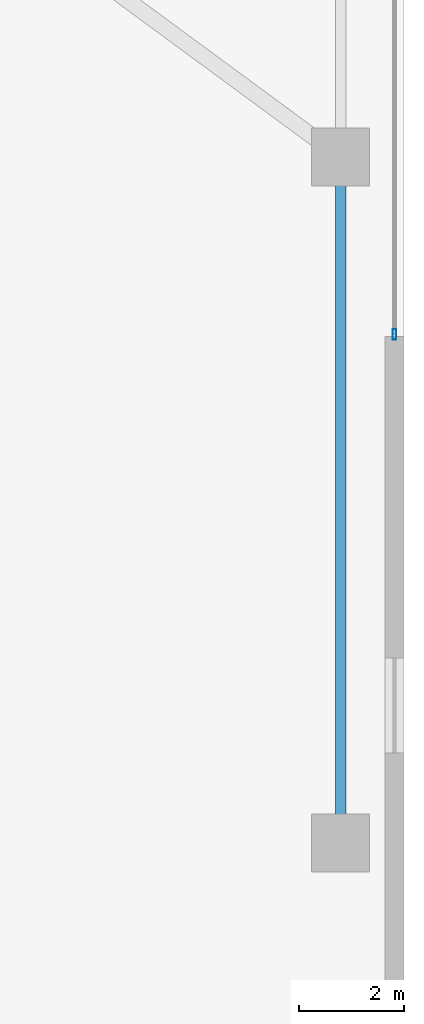
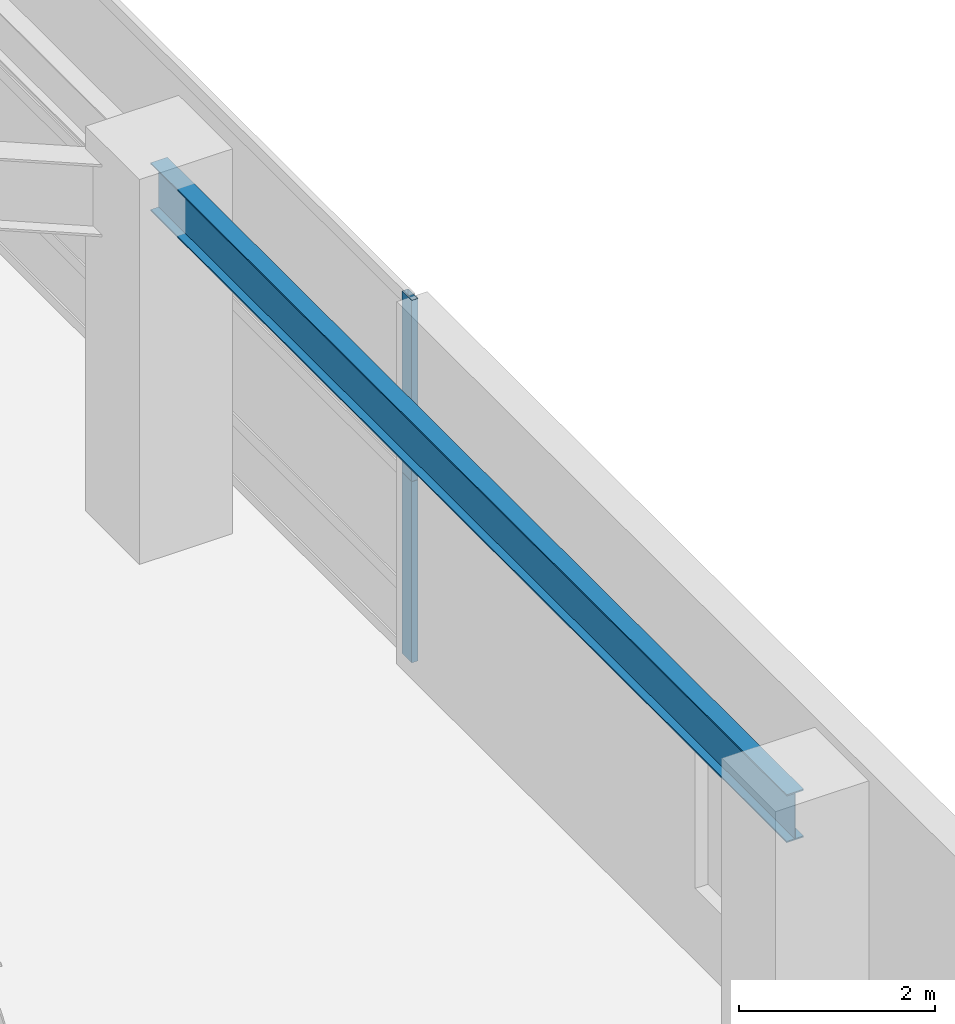
# One storey, part 28 of 38: 2 members, 1 beam, 1 element without a shape of its own.
"""IFC4 building model written with IfcOpenShell, lengths in metres."""

from ifc_helpers import new_model, si_unit, direction, frame, origin, origin_2d, place, context, subcontext, project, spatial, hollow_rectangle, i_section, extrude, source, transform, mapped, material, layer, layer_set, material_profile, profile_set, type_object, element, aggregate, save


model = new_model("IFC4")

# Units and contexts
model_context = context("Model", 3, precision=1e-05, world=origin(), true_north=direction((0.0, 1.0)))
body_context = subcontext(model_context, "Body", "Model", "MODEL_VIEW")
ifc_project = project(units=[si_unit("LENGTHUNIT", "METRE"), si_unit("AREAUNIT", "SQUARE_METRE"), si_unit("VOLUMEUNIT", "CUBIC_METRE"), si_unit("PLANEANGLEUNIT", "RADIAN"), si_unit("MASSUNIT", "GRAM", prefix="KILO"), si_unit("THERMODYNAMICTEMPERATUREUNIT", "KELVIN"), si_unit("POWERUNIT", "WATT")], contexts=[model_context])

# Site, building, storey
site_placement = place(None, origin())
site = spatial("IfcSite", under=ifc_project, at=site_placement, CompositionType="ELEMENT")
building_placement = place(site_placement, origin())
building = spatial("IfcBuilding", under=site, at=building_placement, Name="Yuzanri Waterfront Tower", CompositionType="ELEMENT")
storey_placement = place(building_placement, frame((0.0, 0.0, 10.199951171875)))
storey = spatial("IfcBuildingStorey", under=building, at=storey_placement, Name="L03", CompositionType="ELEMENT", Elevation=10.199951171875)

# Beam
ifc_material_1 = material(Name="Steel Q355B", Category="steel")
ifc_material_profile_1 = material_profile(ifc_material_1, i_section(OverallWidth=0.199951171875, OverallDepth=0.60009765625, WebThickness=0.010986328125, FlangeThickness=0.01708984375, at=origin_2d()), Name="HN 600x200x11x17")
ifc_profile_set_1 = profile_set([ifc_material_profile_1], Name="Steel Q355B")
beam_type = type_object("IfcBeamType", Name="Perimeter Spandrel Q355B HN 600x200", PredefinedType="SPANDREL", material=ifc_profile_set_1)
shared_shape_1 = source(origin(), body_context, "Body", "SweptSolid", [
    extrude(i_section(OverallWidth=0.199951171875, OverallDepth=0.60009765625, WebThickness=0.010986328125, FlangeThickness=0.01708984375, at=origin_2d()), origin(), (0.0, 0.0, 1.0), 13.0),
])
beam_placement = place(storey_placement, frame((70.800048828125, 6.39990234375, 4.219970703125), z_axis=(0.0, 1.0, 0.0), x_axis=(-1.0, 0.0, 0.0)))
element("IfcBeam", 1, at=beam_placement, inside=storey, type_object=beam_type, Name="L03 East Podium Spandrel 1", PredefinedType="SPANDREL", context=body_context, shape_type="MappedRepresentation", body=[
    mapped(shared_shape_1, transform((0.0, 0.0, 0.0), scale=1.0)),
])

# Curtain wall, members
ifc_material_2 = material(Name="Anodized Architectural Bronze", Category="metal")
ifc_layer = layer(ifc_material_2, 0.159912109375)
ifc_layer_set = layer_set([ifc_layer], Name="Anodized Architectural Bronze")
curtain_wall_type = type_object("IfcCurtainWallType", Name="Anodized Bronze Podium Waterfront Double-Height Unitized Curtain Wall 8400", PredefinedType="NOTDEFINED", material=ifc_layer_set)
curtain_wall_placement = place(storey_placement, origin())
curtain_wall = element("IfcCurtainWall", 2, at=curtain_wall_placement, inside=storey, type_object=curtain_wall_type, Name="L03 Curtain Wall CW-L03-E", PredefinedType="NOTDEFINED")
ifc_material_3 = material(Name="Anodized Architectural Bronze", Category="metal")
ifc_material_profile_2 = material_profile(ifc_material_3, hollow_rectangle(XDim=0.074951171875, YDim=0.199951171875, WallThickness=0.00390625, at=origin_2d()), Name="CWM 75x200")
ifc_profile_set_2 = profile_set([ifc_material_profile_2], Name="Anodized Architectural Bronze")
member_type = type_object("IfcMemberType", Name="Anodized Bronze Primary Curtain-Wall Mullion 75x200", PredefinedType="MULLION", material=ifc_profile_set_2)
shared_shape_2 = source(origin(), body_context, "Body", "SweptSolid", [
    extrude(hollow_rectangle(XDim=0.074951171875, YDim=0.199951171875, WallThickness=0.00390625, at=origin_2d()), origin(), (0.0, 0.0, 1.0), 2.258056640625),
])
member_1_placement = place(storey_placement, frame((71.820068359375, 16.0400390625, 0.0), z_axis=(0.0, 0.0, 1.0), x_axis=(1.0, 0.0, 0.0)))
member_1 = element("IfcMember", 3, at=member_1_placement, type_object=member_type, Name="CW-L03-E Lower Mullion 00", PredefinedType="MULLION", context=body_context, shape_type="MappedRepresentation", body=[
    mapped(shared_shape_2, transform((0.0, 0.0, 0.0), scale=1.0)),
])
member_2_placement = place(storey_placement, frame((71.820068359375, 16.0400390625, 2.261962890625), z_axis=(0.0, 0.0, 1.0), x_axis=(1.0, 0.0, 0.0)))
member_2 = element("IfcMember", 4, at=member_2_placement, type_object=member_type, Name="CW-L03-E Upper Mullion 00", PredefinedType="MULLION", context=body_context, shape_type="MappedRepresentation", body=[
    mapped(shared_shape_2, transform((0.0, 0.0, 0.0), scale=1.0)),
])
aggregate(curtain_wall, [member_1, member_2])

save(model, "model.ifc")
